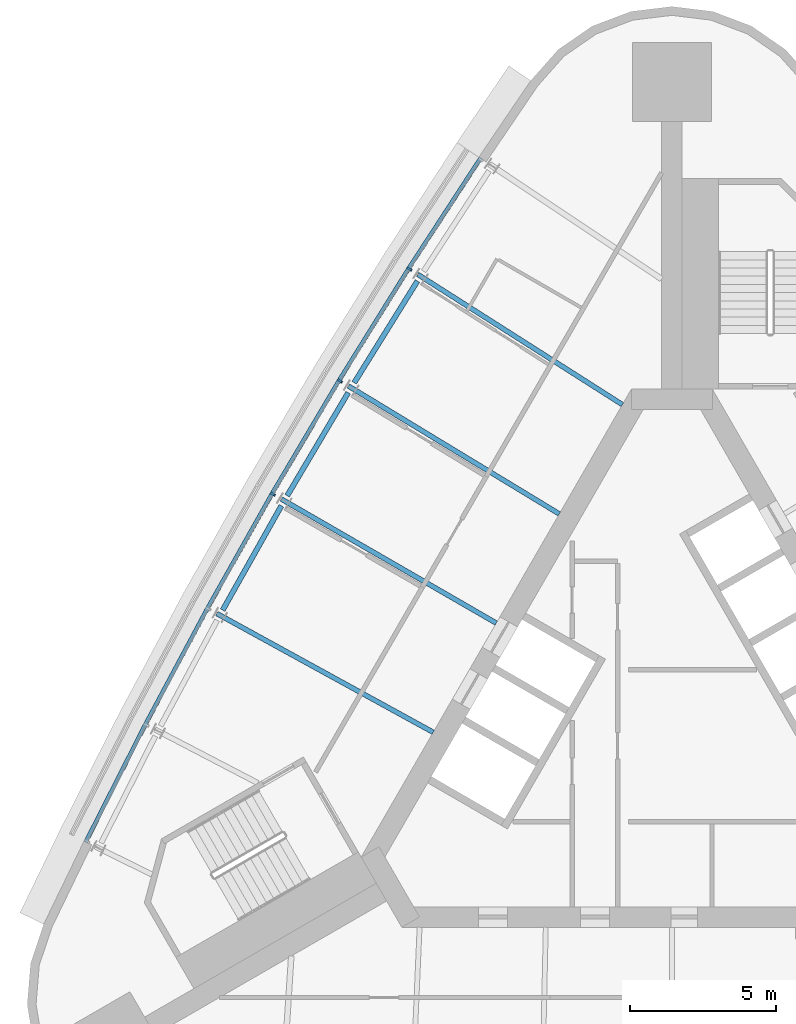
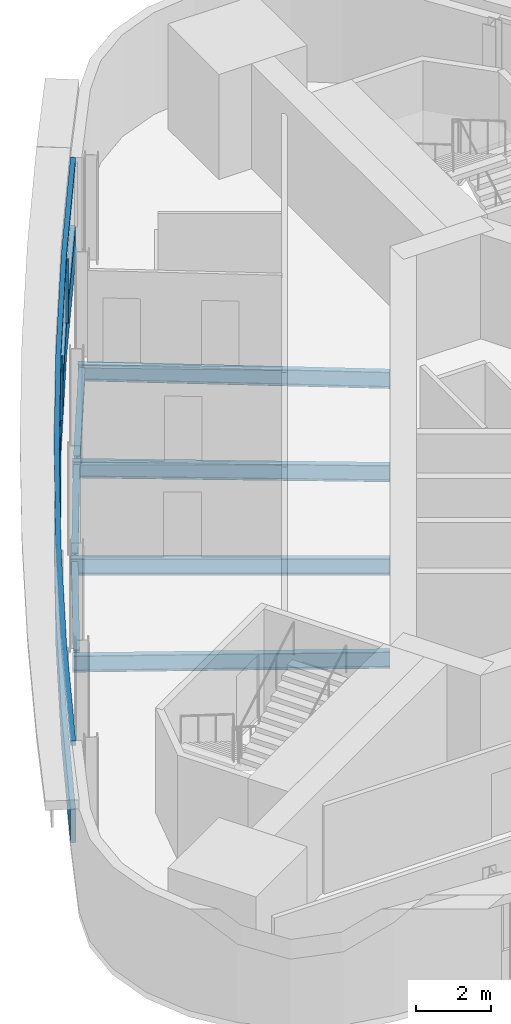
# One storey, part 3 of 10: 7 beams, 5 members, 1 element without a shape of its own.
"""IFC4 building model written with IfcOpenShell, lengths in metres."""

from ifc_helpers import new_model, si_unit, direction, frame, origin, origin_2d, place, context, subcontext, project, spatial, polyline, rectangle, i_section, outline, extrude, material, material_profile, profile_set, type_object, element, aggregate, save


model = new_model("IFC4")

# Units and contexts
model_context = context("Model", 3, precision=1e-05, world=origin(), true_north=direction((0.0, 1.0)))
body_context = subcontext(model_context, "Body", "Model", "MODEL_VIEW")
ifc_project = project(units=[si_unit("LENGTHUNIT", "METRE"), si_unit("AREAUNIT", "SQUARE_METRE"), si_unit("VOLUMEUNIT", "CUBIC_METRE"), si_unit("PLANEANGLEUNIT", "RADIAN"), si_unit("MASSUNIT", "GRAM", prefix="KILO")], contexts=[model_context])

# Site, building, storey
site_placement = place(None, origin())
site = spatial("IfcSite", under=ifc_project, at=site_placement, CompositionType="ELEMENT")
building_placement = place(site_placement, origin())
building = spatial("IfcBuilding", under=site, at=building_placement, Name="Noor Cloister Tower", CompositionType="ELEMENT")
storey_placement = place(building_placement, frame((0.0, 0.0, 199.5)))
storey = spatial("IfcBuildingStorey", under=building, at=storey_placement, Name="L51", CompositionType="ELEMENT", Elevation=199.5)

# Curtain wall, members
ifc_material_1 = material(Name="Aluminium 6063-T6 anodised", Category="aluminium")
curtain_wall_type = type_object("IfcCurtainWallType", Name="Ribbon curtain wall, upper tower CW5", PredefinedType="NOTDEFINED", material=ifc_material_1)
curtain_wall_placement = place(storey_placement, origin())
curtain_wall = element("IfcCurtainWall", 1, at=curtain_wall_placement, inside=storey, type_object=curtain_wall_type, Name="CW5 L51 NW run 1", PredefinedType="NOTDEFINED")
ifc_material_2 = material(Name="Aluminium 6063-T6 anodised", Category="aluminium")
member_type_1 = type_object("IfcMemberType", Name="Head transom CW5 150", PredefinedType="USERDEFINED", material=ifc_material_2)
member_1_placement = place(storey_placement, frame((0.0, 0.0, 3.14990234375)))
member_1 = element("IfcMember", 2, at=member_1_placement, type_object=member_type_1, Name="CW5 head transom", ObjectType="TRANSOM", PredefinedType="USERDEFINED", context=body_context, shape_type="SweptSolid", body=[
    extrude(outline(polyline([(-6.59521484375, 19.38525390625), (-9.052490234375, 15.615478515625), (-11.427734375, 11.79345703125), (-13.7197265625, 7.921142578125), (-15.927490234375, 4.0), (-18.0498046875, 0.031982421875), (-20.085693359375, -3.98095703125), (-19.960693359375, -4.04443359375), (-17.925537109375, -0.03271484375), (-15.8046875, 3.9326171875), (-13.598388671875, 7.85107421875), (-11.30810546875, 11.720947265625), (-8.934326171875, 15.540283203125), (-6.477783203125, 19.308837890625), (-6.59521484375, 19.38525390625)])), origin(), (0.0, 0.0, 1.0), 0.150146484375),
])
ifc_material_3 = material(Name="Aluminium 6063-T6 anodised", Category="aluminium")
ifc_material_profile_1 = material_profile(ifc_material_3, rectangle(XDim=0.179931640625, YDim=0.070068359375, at=origin_2d()), Name="180 x 70 mullion")
ifc_profile_set_1 = profile_set([ifc_material_profile_1], Name="Aluminium 6063-T6 anodised")
member_type_2 = type_object("IfcMemberType", Name="Mullion CW5 70 x 180", PredefinedType="MULLION", material=ifc_profile_set_1)
member_2_placement = place(storey_placement, frame((-8.96826171875, 15.561767578125, 1.10009765625), z_axis=(0.0, 0.0, 1.0), x_axis=(0.843580878103, -0.537002143478, 0.0)))
member_2 = element("IfcMember", 3, at=member_2_placement, type_object=member_type_2, Name="CW5 mullion 2", PredefinedType="MULLION", context=body_context, shape_type="SweptSolid", body=[
    extrude(rectangle(XDim=0.179931640625, YDim=0.070068359375, at=origin_2d()), origin(), (0.0, 0.0, 1.0), 2.0498046875),
])
member_3_placement = place(storey_placement, frame((-11.34228515625, 11.74169921875, 1.10009765625), z_axis=(0.0, 0.0, 1.0), x_axis=(0.855003332989, -0.518622502961, 0.0)))
member_3 = element("IfcMember", 4, at=member_3_placement, type_object=member_type_2, Name="CW5 mullion 3", PredefinedType="MULLION", context=body_context, shape_type="SweptSolid", body=[
    extrude(rectangle(XDim=0.179931640625, YDim=0.070068359375, at=origin_2d()), origin(), (0.0, 0.0, 1.0), 2.0498046875),
])
member_4_placement = place(storey_placement, frame((-13.633056640625, 7.87109375, 1.10009765625), z_axis=(0.0, 0.0, 1.0), x_axis=(0.866025403784, -0.5, 0.0)))
member_4 = element("IfcMember", 5, at=member_4_placement, type_object=member_type_2, Name="CW5 mullion 4", PredefinedType="MULLION", context=body_context, shape_type="SweptSolid", body=[
    extrude(rectangle(XDim=0.179931640625, YDim=0.070068359375, at=origin_2d()), origin(), (0.0, 0.0, 1.0), 2.0498046875),
])

# Beams
ifc_material_4 = material(Name="Steel ASTM A992 Gr 50", Category="steel")
ifc_material_profile_2 = material_profile(ifc_material_4, i_section(OverallWidth=0.166015625, OverallDepth=0.528076171875, WebThickness=0.009765625, FlangeThickness=0.013671875, FilletRadius=0.0126953125, at=origin_2d()), Name="W530x74")
ifc_profile_set_2 = profile_set([ifc_material_profile_2], Name="Steel ASTM A992 Gr 50")
beam_type_1 = type_object("IfcBeamType", Name="Radial beam W530x74", PredefinedType="BEAM", material=ifc_profile_set_2)
beam_1_placement = place(storey_placement, frame((-8.68310546875, 15.38037109375, -0.464111328125), z_axis=(0.84358629089, -0.536993640393, 0.0), x_axis=(0.536993640393, 0.84358629089, 0.0)))
element("IfcBeam", 6, at=beam_1_placement, inside=storey, type_object=beam_type_1, Name="Radial beam NW 02 L51", PredefinedType="BEAM", context=body_context, shape_type="SweptSolid", body=[
    extrude(i_section(OverallWidth=0.166015625, OverallDepth=0.528076171875, WebThickness=0.009765625, FlangeThickness=0.013671875, FilletRadius=0.0126953125, at=origin_2d()), origin(), (0.0, 0.0, 1.0), 8.28955078125),
])
beam_2_placement = place(storey_placement, frame((-11.05322265625, 11.56640625, -0.464111328125), z_axis=(0.855004033078, -0.51862134879, 0.0), x_axis=(0.51862134879, 0.855004033078, 0.0)))
element("IfcBeam", 7, at=beam_2_placement, inside=storey, type_object=beam_type_1, Name="Radial beam NW 03 L51", PredefinedType="BEAM", context=body_context, shape_type="SweptSolid", body=[
    extrude(i_section(OverallWidth=0.166015625, OverallDepth=0.528076171875, WebThickness=0.009765625, FlangeThickness=0.013671875, FilletRadius=0.0126953125, at=origin_2d()), origin(), (0.0, 0.0, 1.0), 8.42919921875),
])
beam_3_placement = place(storey_placement, frame((-13.34033203125, 7.7021484375, -0.464111328125), z_axis=(0.866020579303, -0.500008356154, 0.0), x_axis=(0.500008356154, 0.866020579303, 0.0)))
element("IfcBeam", 8, at=beam_3_placement, inside=storey, type_object=beam_type_1, Name="Radial beam NW 04 L51", PredefinedType="BEAM", context=body_context, shape_type="SweptSolid", body=[
    extrude(i_section(OverallWidth=0.166015625, OverallDepth=0.528076171875, WebThickness=0.009765625, FlangeThickness=0.013671875, FilletRadius=0.0126953125, at=origin_2d()), origin(), (0.0, 0.0, 1.0), 8.475830078125),
])
beam_4_placement = place(storey_placement, frame((-15.54345703125, 3.789306640625, -0.464111328125), z_axis=(0.876636281192, -0.481153645416, 0.0), x_axis=(0.481153645416, 0.876636281192, 0.0)))
element("IfcBeam", 9, at=beam_4_placement, inside=storey, type_object=beam_type_1, Name="Radial beam NW 05 L51", PredefinedType="BEAM", context=body_context, shape_type="SweptSolid", body=[
    extrude(i_section(OverallWidth=0.166015625, OverallDepth=0.528076171875, WebThickness=0.009765625, FlangeThickness=0.013671875, FilletRadius=0.0126953125, at=origin_2d()), origin(), (0.0, 0.0, 1.0), 8.429443359375),
])

# Member
ifc_material_5 = material(Name="Aluminium 6063-T6 anodised", Category="aluminium")
member_type_3 = type_object("IfcMemberType", Name="Sill transom CW5 1100", PredefinedType="USERDEFINED", material=ifc_material_5)
member_5_placement = place(storey_placement, origin())
member_5 = element("IfcMember", 10, at=member_5_placement, type_object=member_type_3, Name="CW5 sill transom", ObjectType="TRANSOM", PredefinedType="USERDEFINED", context=body_context, shape_type="SweptSolid", body=[
    extrude(outline(polyline([(-6.59521484375, 19.38525390625), (-9.052490234375, 15.615478515625), (-11.427734375, 11.79345703125), (-13.7197265625, 7.921142578125), (-15.927490234375, 4.0), (-18.0498046875, 0.031982421875), (-20.085693359375, -3.98095703125), (-19.960693359375, -4.04443359375), (-17.925537109375, -0.03271484375), (-15.8046875, 3.9326171875), (-13.598388671875, 7.85107421875), (-11.30810546875, 11.720947265625), (-8.934326171875, 15.540283203125), (-6.477783203125, 19.308837890625), (-6.59521484375, 19.38525390625)])), origin(), (0.0, 0.0, 1.0), 1.10009765625),
])

aggregate(curtain_wall, [member_2, member_3, member_4, member_5, member_1])

# Beams
ifc_material_6 = material(Name="Steel ASTM A992 Gr 50", Category="steel")
ifc_material_profile_3 = material_profile(ifc_material_6, i_section(OverallWidth=0.177978515625, OverallDepth=0.406005859375, WebThickness=0.0078125, FlangeThickness=0.0126953125, FilletRadius=0.01025390625, at=origin_2d()), Name="W410x60")
ifc_profile_set_3 = profile_set([ifc_material_profile_3], Name="Steel ASTM A992 Gr 50")
beam_type_2 = type_object("IfcBeamType", Name="Spandrel beam W410x60", PredefinedType="SPANDREL", material=ifc_profile_set_3)
for number, where, z_axis, x_axis, name in (
    (11, (-8.692626953125, 15.15283203125, -0.403076171875), (-0.527815540328, -0.8493590262, 0.0), (0.8493590262, -0.527815540328, 0.0), "Spandrel beam NW 02 L51"),
    (12, (-11.057861328125, 11.3388671875, -0.403076171875), (-0.509329906975, -0.860571348501, 0.0), (0.860571348501, -0.509329906975, 0.0), "Spandrel beam NW 03 L51"),
    (13, (-13.340087890625, 7.474365234375, -0.403076171875), (-0.490612281957, -0.871377982734, 0.0), (0.871377982734, -0.490612281957, 0.0), "Spandrel beam NW 04 L51"),
):
    element("IfcBeam", number, at=place(storey_placement, frame(where, z_axis=z_axis, x_axis=x_axis)), inside=storey, type_object=beam_type_2, Name=name, PredefinedType="SPANDREL", context=body_context, shape_type="SweptSolid", body=[
        extrude(i_section(OverallWidth=0.177978515625, OverallDepth=0.406005859375, WebThickness=0.0078125, FlangeThickness=0.0126953125, FilletRadius=0.01025390625, at=origin_2d()), origin(), (0.0, 0.0, 1.0), 4.093994140625),
    ])

save(model, "model.ifc")
